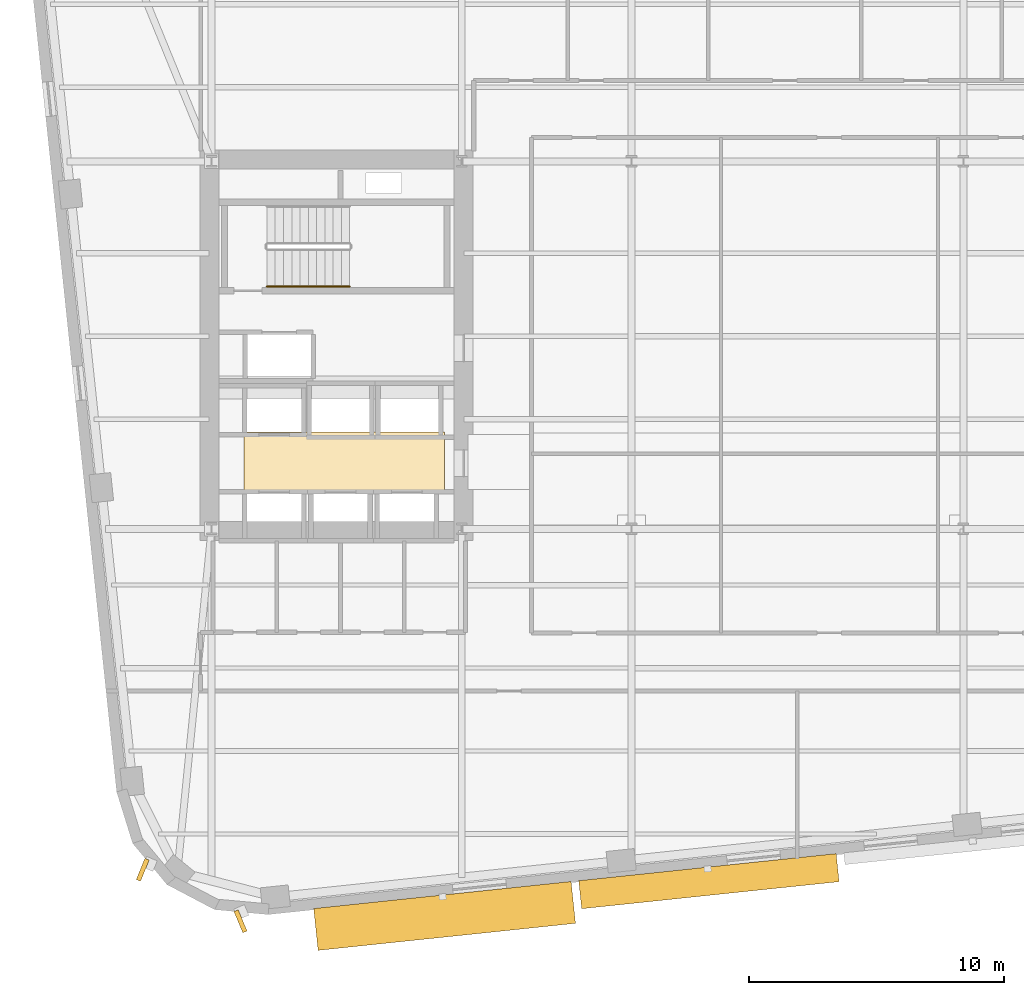
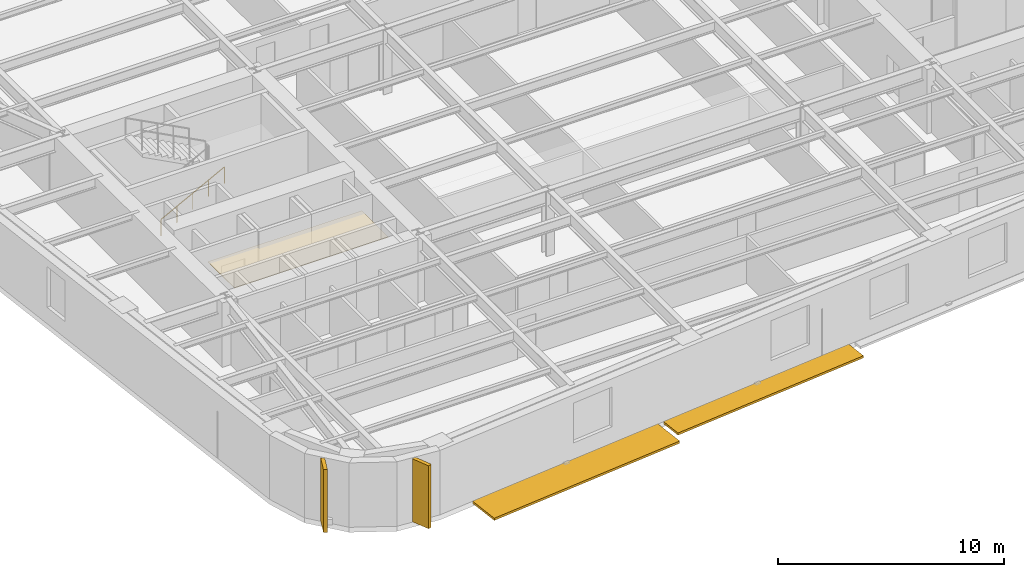
# One storey, part 9 of 15: 4 shading devices, 1 covering, 1 railing.
"""IFC4 building model written with IfcOpenShell, lengths in metres."""

from ifc_helpers import new_model, si_unit, direction, frame, origin, origin_2d, place, context, subcontext, project, spatial, polyline, rectangle, circle, outline, extrude, material, layer, layer_set, type_object, element, save


model = new_model("IFC4")

# Units and contexts
model_context = context("Model", 3, precision=1e-05, world=origin(), true_north=direction((0.0, 1.0)))
body_context = subcontext(model_context, "Body", "Model", "MODEL_VIEW")
ifc_project = project(units=[si_unit("LENGTHUNIT", "METRE"), si_unit("AREAUNIT", "SQUARE_METRE"), si_unit("VOLUMEUNIT", "CUBIC_METRE"), si_unit("PLANEANGLEUNIT", "RADIAN"), si_unit("MASSUNIT", "GRAM", prefix="KILO")], contexts=[model_context])

# Site, building, storey
site_placement = place(None, origin())
site = spatial("IfcSite", under=ifc_project, at=site_placement, CompositionType="ELEMENT")
building_placement = place(site_placement, origin())
building = spatial("IfcBuilding", under=site, at=building_placement, Name="Kolvaren Arena Tower", CompositionType="ELEMENT")
storey_placement = place(building_placement, frame((0.0, 0.0, 142.0)))
storey = spatial("IfcBuildingStorey", under=building, at=storey_placement, Name="L33", CompositionType="ELEMENT", Elevation=142.0)

# Covering
ifc_material_1 = material(Name="Moisture-resistant gypsum ceiling", Category="gypsum")
ifc_layer = layer(ifc_material_1, 0.030029296875)
ifc_layer_set = layer_set([ifc_layer], Name="Moisture-resistant gypsum ceiling")
covering_type = type_object("IfcCoveringType", Name="CEIL-GYP-1", PredefinedType="CEILING", material=ifc_layer_set)
covering_placement = place(storey_placement, frame((0.0, 0.0, 2.52001953125)))
element("IfcCovering", 1, at=covering_placement, inside=storey, type_object=covering_type, Name="Suspended Ceiling (L33)", PredefinedType="CEILING", context=body_context, shape_type="SweptSolid", body=[
    extrude(outline(polyline([(15.820068359375, 20.89990234375), (15.820068359375, 23.239990234375), (23.679931640625, 23.239990234375), (23.679931640625, 20.89990234375), (15.820068359375, 20.89990234375)])), origin(), (0.0, 0.0, 1.0), 0.030029296875),
])

# Railing
ifc_material_2 = material(Name="Brushed stainless steel handrail", Category="steel")
railing_type = type_object("IfcRailingType", Name="HRAIL-900", PredefinedType="HANDRAIL", material=ifc_material_2)
railing_placement = place(storey_placement, frame((16.719970703125, 28.949951171875, 0.17041015625)))
element("IfcRailing", 2, at=railing_placement, inside=storey, type_object=railing_type, Name="L33 ST-W1 stair handrail 1", PredefinedType="HANDRAIL", context=body_context, shape_type="SweptSolid", body=[
    extrude(circle(Radius=0.02392578125, at=origin_2d()), frame((0.0, 0.0, 0.8759765625), z_axis=(0.884993431791, 0.0, 0.465603506952), x_axis=(0.0, 1.0, 0.0)), (0.0, 0.0, 1.0), 3.6611328125),
    extrude(circle(Radius=0.02099609375, at=origin_2d()), origin(), (0.0, 0.0, 1.0), 0.851806640625),
    extrude(circle(Radius=0.02099609375, at=origin_2d()), frame((0.81005859375, 0.0, 0.42626953125)), (0.0, 0.0, 1.0), 0.851806640625),
    extrude(circle(Radius=0.02099609375, at=origin_2d()), frame((1.6201171875, 0.0, 0.852294921875)), (0.0, 0.0, 1.0), 0.851806640625),
    extrude(circle(Radius=0.02099609375, at=origin_2d()), frame((2.429931640625, 0.0, 1.2783203125)), (0.0, 0.0, 1.0), 0.851806640625),
    extrude(circle(Radius=0.02099609375, at=origin_2d()), frame((3.239990234375, 0.0, 1.70458984375)), (0.0, 0.0, 1.0), 0.851806640625),
])

# Shading devices
ifc_material_3 = material(Name="Precast architectural concrete C50/60 rib fin", Category="concrete")
shading_device_type_1 = type_object("IfcShadingDeviceType", Name="SHAD-FIN-28", PredefinedType="USERDEFINED", material=ifc_material_3)
for number, where, z_axis, x_axis, name in (
    (3, (11.8525390625, 6.09521484375, 0.02001953125), (0.0, 0.0, 1.0), (-0.378634078949, -0.925546451702, 0.0), "Precast 28-Deg Corner Rib Fin (L33)"),
    (4, (15.683837890625, 4.07958984375, 0.02001953125), (0.0, 0.0, 1.0), (0.386706132999, -0.922202996472, 0.0), "Precast 28-Deg Corner Rib Fin (L33)"),
):
    element("IfcShadingDevice", number, at=place(storey_placement, frame(where, z_axis=z_axis, x_axis=x_axis)), inside=storey, type_object=shading_device_type_1, Name=name, ObjectType="FIN", PredefinedType="USERDEFINED", context=body_context, shape_type="SweptSolid", body=[
        extrude(rectangle(XDim=0.89990234375, YDim=0.179931640625, at=origin_2d()), origin(), (0.0, 0.0, 1.0), 3.39990234375),
    ])
ifc_material_4 = material(Name="Architectural precast GFRC and anodised aluminium sunshade", Category="concrete")
shading_device_type_2 = type_object("IfcShadingDeviceType", Name="SHAD-SINE-A", PredefinedType="USERDEFINED", material=ifc_material_4)
shading_device_1_placement = place(storey_placement, frame((34.03369140625, 5.650634765625, -0.14013671875), z_axis=(0.0, 0.0, 1.0), x_axis=(-0.994522077803, -0.104526727499, 0.0)))
element("IfcShadingDevice", 5, at=shading_device_1_placement, inside=storey, type_object=shading_device_type_2, Name="Sinusoidal Slab-Edge Sunshade Louvre (L33)", ObjectType="LOUVRE", PredefinedType="USERDEFINED", context=body_context, shape_type="SweptSolid", body=[
    extrude(rectangle(XDim=10.139892578125, YDim=1.106201171875, at=origin_2d()), origin(), (0.0, 0.0, 1.0), 0.1201171875),
])
shading_device_type_3 = type_object("IfcShadingDeviceType", Name="SHAD-SINE-B", PredefinedType="JALOUSIE", material=ifc_material_4)
shading_device_2_placement = place(storey_placement, frame((23.67919921875, 4.2890625, -0.14013671875), z_axis=(0.0, 0.0, 1.0), x_axis=(-0.994522077803, -0.104526727499, 0.0)))
element("IfcShadingDevice", 6, at=shading_device_2_placement, inside=storey, type_object=shading_device_type_3, Name="Sinusoidal Slab-Edge Sunshade Louvre (L33)", PredefinedType="JALOUSIE", context=body_context, shape_type="SweptSolid", body=[
    extrude(rectangle(XDim=10.139892578125, YDim=1.649658203125, at=origin_2d()), origin(), (0.0, 0.0, 1.0), 0.1201171875),
])

save(model, "model.ifc")
